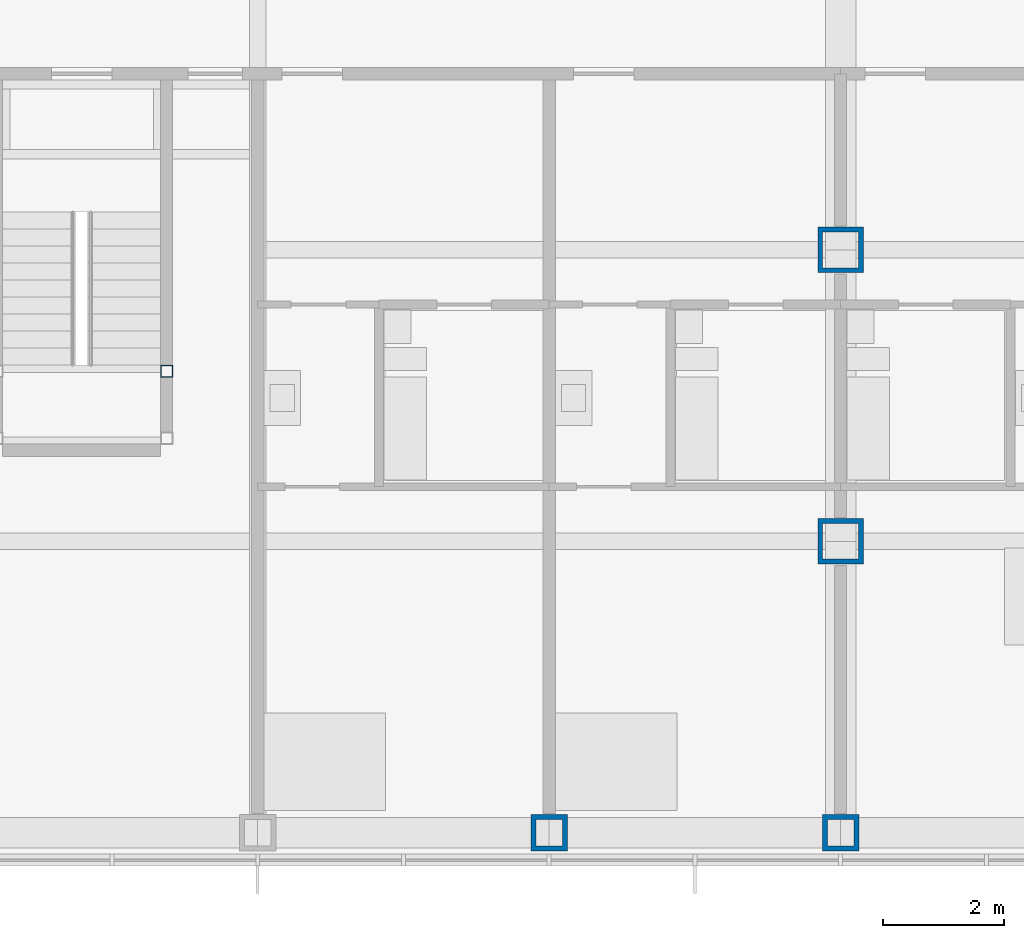
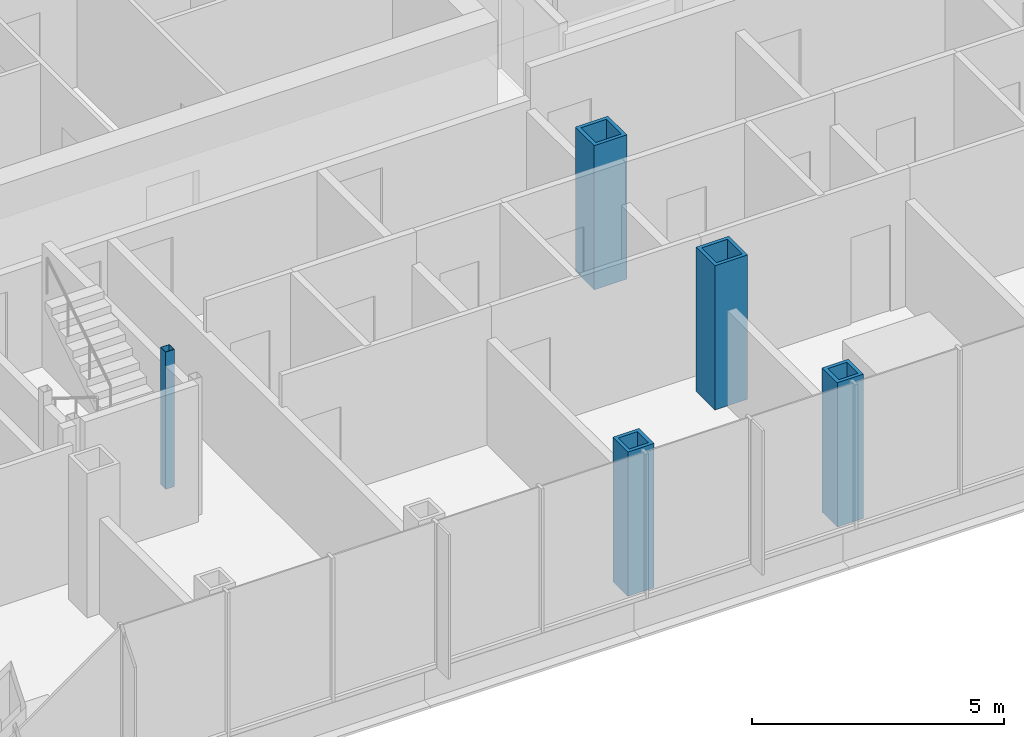
# One storey, part 2 of 22: 5 columns.
"""IFC4 building model written with IfcOpenShell, lengths in metres."""

from ifc_helpers import new_model, si_unit, direction, frame, origin, origin_2d, place, context, subcontext, project, spatial, hollow_rectangle, extrude, material, material_profile, profile_set, type_object, element, save


model = new_model("IFC4")

# Units and contexts
model_context = context("Model", 3, precision=1e-05, world=origin(), true_north=direction((0.0, 1.0)))
body_context = subcontext(model_context, "Body", "Model", "MODEL_VIEW")
ifc_project = project(units=[si_unit("LENGTHUNIT", "METRE"), si_unit("AREAUNIT", "SQUARE_METRE"), si_unit("VOLUMEUNIT", "CUBIC_METRE"), si_unit("PLANEANGLEUNIT", "RADIAN"), si_unit("MASSUNIT", "GRAM", prefix="KILO")], contexts=[model_context])

# Site, building, storey
site_placement = place(None, origin())
site = spatial("IfcSite", under=ifc_project, at=site_placement, CompositionType="ELEMENT")
building_placement = place(site_placement, origin())
building = spatial("IfcBuilding", under=site, at=building_placement, Name="Kvirike Care Tower", CompositionType="ELEMENT")
storey_placement = place(building_placement, frame((0.0, 0.0, 72.5)))
storey = spatial("IfcBuildingStorey", under=building, at=storey_placement, Name="L19", CompositionType="ELEMENT", Elevation=72.5)

# Columns
ifc_material_1 = material(Name="Steel S460", Category="steel")
ifc_material_profile_1 = material_profile(ifc_material_1, hollow_rectangle(XDim=0.60009765625, YDim=0.60009765625, WallThickness=0.080078125, at=origin_2d()), Name="BX 600x600x80")
ifc_profile_set_1 = profile_set([ifc_material_profile_1], Name="Steel S460")
column_type_1 = type_object("IfcColumnType", Name="COLUMN BX 600x600x80", PredefinedType="COLUMN", material=ifc_profile_set_1)
for number, where, z_axis, x_axis, name in (
    (1, (24.0, 14.39990234375, 0.0), (0.0, 0.0, 1.0), (0.0, 1.0, 0.0), "Column D8 L19"),
    (2, (28.800048828125, 14.39990234375, 0.0), (0.0, 0.0, 1.0), (0.0, 1.0, 0.0), "Column D9 L19"),
):
    element("IfcColumn", number, at=place(storey_placement, frame(where, z_axis=z_axis, x_axis=x_axis)), inside=storey, type_object=column_type_1, Name=name, PredefinedType="COLUMN", context=body_context, shape_type="SweptSolid", body=[
        extrude(hollow_rectangle(XDim=0.60009765625, YDim=0.60009765625, WallThickness=0.080078125, at=origin_2d()), origin(), (0.0, 0.0, 1.0), 3.5),
    ])
ifc_material_2 = material(Name="Steel S460", Category="steel")
ifc_material_profile_2 = material_profile(ifc_material_2, hollow_rectangle(XDim=0.75, YDim=0.75, WallThickness=0.080078125, at=origin_2d()), Name="BX 750x750x80")
ifc_profile_set_2 = profile_set([ifc_material_profile_2], Name="Steel S460")
column_type_2 = type_object("IfcColumnType", Name="COLUMN BX 750x750x80", PredefinedType="COLUMN", material=ifc_profile_set_2)
for number, where, z_axis, x_axis, name in (
    (3, (28.800048828125, 19.199951171875, 0.0), (0.0, 0.0, 1.0), (1.0, 0.0, 0.0), "Column E9 L19"),
    (4, (28.800048828125, 24.0, 0.0), (0.0, 0.0, 1.0), (1.0, 0.0, 0.0), "Column F9 L19"),
):
    element("IfcColumn", number, at=place(storey_placement, frame(where, z_axis=z_axis, x_axis=x_axis)), inside=storey, type_object=column_type_2, Name=name, PredefinedType="COLUMN", context=body_context, shape_type="SweptSolid", body=[
        extrude(hollow_rectangle(XDim=0.75, YDim=0.75, WallThickness=0.080078125, at=origin_2d()), origin(), (0.0, 0.0, 1.0), 3.5),
    ])
ifc_material_3 = material(Name="Steel S460", Category="steel")
ifc_material_profile_3 = material_profile(ifc_material_3, hollow_rectangle(XDim=0.199951171875, YDim=0.199951171875, WallThickness=0.008056640625, at=origin_2d()), Name="SHS 200x200x8")
ifc_profile_set_3 = profile_set([ifc_material_profile_3], Name="Steel S460")
column_type_3 = type_object("IfcColumnType", Name="STAIR POST SHS 200x200x8", PredefinedType="COLUMN", material=ifc_profile_set_3)
column_placement = place(storey_placement, frame((17.699951171875, 22.0, 0.0), z_axis=(0.0, 0.0, 1.0), x_axis=(1.0, 0.0, 0.0)))
element("IfcColumn", 5, at=column_placement, inside=storey, type_object=column_type_3, Name="Stair 5 post 4 L19", PredefinedType="COLUMN", context=body_context, shape_type="SweptSolid", body=[
    extrude(hollow_rectangle(XDim=0.199951171875, YDim=0.199951171875, WallThickness=0.008056640625, at=origin_2d()), origin(), (0.0, 0.0, 1.0), 3.330078125),
])

save(model, "model.ifc")
